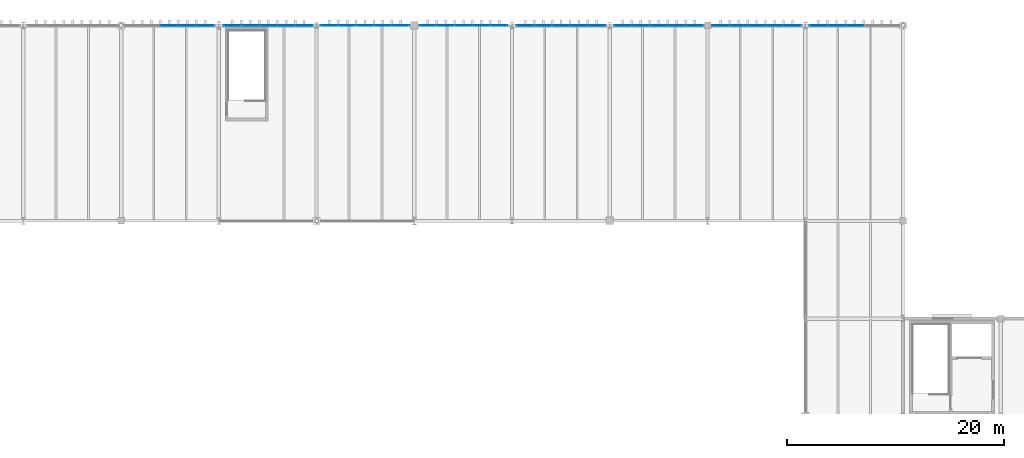
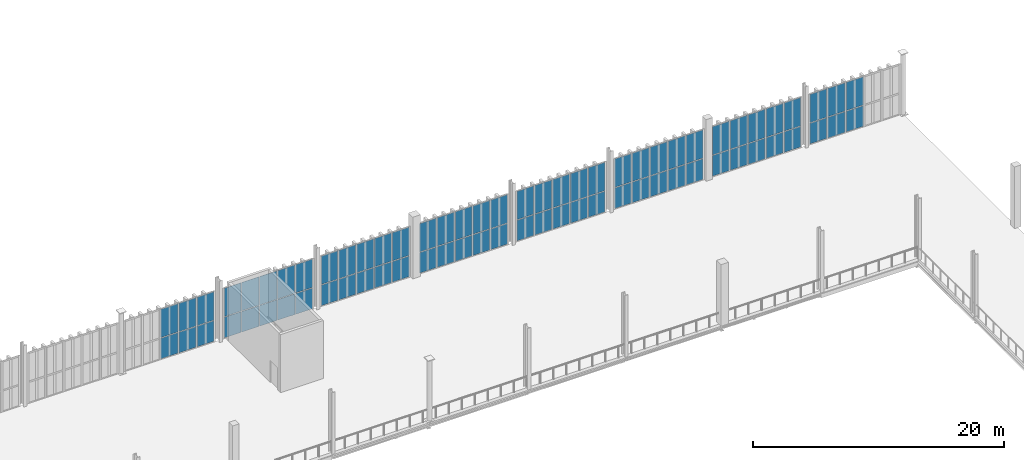
# One storey, part 168 of 211: 72 plates, 8 elements without a shape of their own.
"""IFC4 building model written with IfcOpenShell, lengths in metres."""

from ifc_helpers import new_model, si_unit, direction, frame, origin, origin_2d, place, context, subcontext, project, spatial, rectangle, extrude, material, layer, layer_set, type_object, element, aggregate, save


model = new_model("IFC4")

# Units and contexts
model_context = context("Model", 3, precision=1e-05, world=origin(), true_north=direction((0.0, 1.0)))
body_context = subcontext(model_context, "Body", "Model", "MODEL_VIEW")
ifc_project = project(units=[si_unit("LENGTHUNIT", "METRE"), si_unit("AREAUNIT", "SQUARE_METRE"), si_unit("VOLUMEUNIT", "CUBIC_METRE"), si_unit("PLANEANGLEUNIT", "RADIAN"), si_unit("MASSUNIT", "GRAM", prefix="KILO")], contexts=[model_context])

# Site, building, storey
site_placement = place(None, origin())
site = spatial("IfcSite", under=ifc_project, at=site_placement, CompositionType="ELEMENT")
building_placement = place(site_placement, origin())
building = spatial("IfcBuilding", under=site, at=building_placement, Name="Barlavento Convention Centre", CompositionType="ELEMENT")
storey_placement = place(building_placement, frame((0.0, 0.0, 6.0)))
storey = spatial("IfcBuildingStorey", under=building, at=storey_placement, Name="L01", CompositionType="ELEMENT", Elevation=6.0)

# Curtain wall, plates
ifc_material_1 = material(Name="Powder-coated aluminium and Low-E glass", Category="aluminium")
ifc_layer_1 = layer(ifc_material_1, 0.179931640625)
ifc_layer_set_1 = layer_set([ifc_layer_1], Name="ARC-CW-EXH-L01")
curtain_wall_type = type_object("IfcCurtainWallType", Name="ARC-CW-EXH-L01", PredefinedType="NOTDEFINED", material=ifc_layer_set_1)
curtain_wall_1_placement = place(storey_placement, origin())
curtain_wall_1 = element("IfcCurtainWall", 1, at=curtain_wall_1_placement, inside=storey, type_object=curtain_wall_type, Name="L01 unitised curtain wall CW04", PredefinedType="NOTDEFINED")
ifc_material_2 = material(Name="Double-silver Low-E insulated glass", Category="glass")
ifc_layer_2 = layer(ifc_material_2, 0.028076171875)
ifc_layer_set_2 = layer_set([ifc_layer_2], Name="ARC-CWP-GLZ28")
plate_type = type_object("IfcPlateType", Name="ARC-CWP-GLZ28", PredefinedType="CURTAIN_PANEL", material=ifc_layer_set_2)
plate_1_placement = place(storey_placement, frame((58.4345703125, 135.0, 0.06005859375), z_axis=(0.0, 0.0, 1.0), x_axis=(1.0, 0.0, 0.0)))
plate_1 = element("IfcPlate", 2, at=plate_1_placement, type_object=plate_type, Name="CW04 panel 3.1", PredefinedType="CURTAIN_PANEL", context=body_context, shape_type="SweptSolid", body=[
    extrude(rectangle(XDim=1.6044921875, YDim=0.028076171875, at=origin_2d()), origin(), (0.0, 0.0, 1.0), 2.010009765625),
])
plate_2_placement = place(storey_placement, frame((58.4345703125, 135.0, 2.1298828125), z_axis=(0.0, 0.0, 1.0), x_axis=(1.0, 0.0, 0.0)))
plate_2 = element("IfcPlate", 3, at=plate_2_placement, type_object=plate_type, Name="CW04 panel 3.2", PredefinedType="CURTAIN_PANEL", context=body_context, shape_type="SweptSolid", body=[
    extrude(rectangle(XDim=1.6044921875, YDim=0.028076171875, at=origin_2d()), origin(), (0.0, 0.0, 1.0), 2.760009765625),
])
plate_3_placement = place(storey_placement, frame((60.09912109375, 135.0, 0.06005859375), z_axis=(0.0, 0.0, 1.0), x_axis=(1.0, 0.0, 0.0)))
plate_3 = element("IfcPlate", 4, at=plate_3_placement, type_object=plate_type, Name="CW04 panel 4.1", PredefinedType="CURTAIN_PANEL", context=body_context, shape_type="SweptSolid", body=[
    extrude(rectangle(XDim=1.6044921875, YDim=0.028076171875, at=origin_2d()), origin(), (0.0, 0.0, 1.0), 2.010009765625),
])
plate_4_placement = place(storey_placement, frame((60.09912109375, 135.0, 2.1298828125), z_axis=(0.0, 0.0, 1.0), x_axis=(1.0, 0.0, 0.0)))
plate_4 = element("IfcPlate", 5, at=plate_4_placement, type_object=plate_type, Name="CW04 panel 4.2", PredefinedType="CURTAIN_PANEL", context=body_context, shape_type="SweptSolid", body=[
    extrude(rectangle(XDim=1.6044921875, YDim=0.028076171875, at=origin_2d()), origin(), (0.0, 0.0, 1.0), 2.760009765625),
])
plate_5_placement = place(storey_placement, frame((61.748779296875, 135.0, 0.06005859375), z_axis=(0.0, 0.0, 1.0), x_axis=(1.0, 0.0, 0.0)))
plate_5 = element("IfcPlate", 6, at=plate_5_placement, type_object=plate_type, Name="CW04 panel 5.1", PredefinedType="CURTAIN_PANEL", context=body_context, shape_type="SweptSolid", body=[
    extrude(rectangle(XDim=1.574462890625, YDim=0.028076171875, at=origin_2d()), origin(), (0.0, 0.0, 1.0), 2.010009765625),
])
plate_6_placement = place(storey_placement, frame((61.748779296875, 135.0, 2.1298828125), z_axis=(0.0, 0.0, 1.0), x_axis=(1.0, 0.0, 0.0)))
plate_6 = element("IfcPlate", 7, at=plate_6_placement, type_object=plate_type, Name="CW04 panel 5.2", PredefinedType="CURTAIN_PANEL", context=body_context, shape_type="SweptSolid", body=[
    extrude(rectangle(XDim=1.574462890625, YDim=0.028076171875, at=origin_2d()), origin(), (0.0, 0.0, 1.0), 2.760009765625),
])
aggregate(curtain_wall_1, [plate_1, plate_2, plate_3, plate_4, plate_5, plate_6])

curtain_wall_2_placement = place(storey_placement, origin())
curtain_wall_2 = element("IfcCurtainWall", 8, at=curtain_wall_2_placement, inside=storey, type_object=curtain_wall_type, Name="L01 unitised curtain wall CW04", PredefinedType="NOTDEFINED")
plate_7_placement = place(storey_placement, frame((64.245361328125, 135.0, 0.06005859375), z_axis=(0.0, 0.0, 1.0), x_axis=(1.0, 0.0, 0.0)))
plate_7 = element("IfcPlate", 9, at=plate_7_placement, type_object=plate_type, Name="CW04 panel 1.1", PredefinedType="CURTAIN_PANEL", context=body_context, shape_type="SweptSolid", body=[
    extrude(rectangle(XDim=1.562744140625, YDim=0.028076171875, at=origin_2d()), origin(), (0.0, 0.0, 1.0), 2.010009765625),
])
plate_8_placement = place(storey_placement, frame((64.245361328125, 135.0, 2.1298828125), z_axis=(0.0, 0.0, 1.0), x_axis=(1.0, 0.0, 0.0)))
plate_8 = element("IfcPlate", 10, at=plate_8_placement, type_object=plate_type, Name="CW04 panel 1.2", PredefinedType="CURTAIN_PANEL", context=body_context, shape_type="SweptSolid", body=[
    extrude(rectangle(XDim=1.562744140625, YDim=0.028076171875, at=origin_2d()), origin(), (0.0, 0.0, 1.0), 2.760009765625),
])
plate_9_placement = place(storey_placement, frame((65.88330078125, 135.0, 0.06005859375), z_axis=(0.0, 0.0, 1.0), x_axis=(1.0, 0.0, 0.0)))
plate_9 = element("IfcPlate", 11, at=plate_9_placement, type_object=plate_type, Name="CW04 panel 2.1", PredefinedType="CURTAIN_PANEL", context=body_context, shape_type="SweptSolid", body=[
    extrude(rectangle(XDim=1.5927734375, YDim=0.028076171875, at=origin_2d()), origin(), (0.0, 0.0, 1.0), 2.010009765625),
])
plate_10_placement = place(storey_placement, frame((65.88330078125, 135.0, 2.1298828125), z_axis=(0.0, 0.0, 1.0), x_axis=(1.0, 0.0, 0.0)))
plate_10 = element("IfcPlate", 12, at=plate_10_placement, type_object=plate_type, Name="CW04 panel 2.2", PredefinedType="CURTAIN_PANEL", context=body_context, shape_type="SweptSolid", body=[
    extrude(rectangle(XDim=1.5927734375, YDim=0.028076171875, at=origin_2d()), origin(), (0.0, 0.0, 1.0), 2.760009765625),
])
plate_11_placement = place(storey_placement, frame((67.535888671875, 135.0, 0.06005859375), z_axis=(0.0, 0.0, 1.0), x_axis=(1.0, 0.0, 0.0)))
plate_11 = element("IfcPlate", 13, at=plate_11_placement, type_object=plate_type, Name="CW04 panel 3.1", PredefinedType="CURTAIN_PANEL", context=body_context, shape_type="SweptSolid", body=[
    extrude(rectangle(XDim=1.5927734375, YDim=0.028076171875, at=origin_2d()), origin(), (0.0, 0.0, 1.0), 2.010009765625),
])
plate_12_placement = place(storey_placement, frame((67.535888671875, 135.0, 2.1298828125), z_axis=(0.0, 0.0, 1.0), x_axis=(1.0, 0.0, 0.0)))
plate_12 = element("IfcPlate", 14, at=plate_12_placement, type_object=plate_type, Name="CW04 panel 3.2", PredefinedType="CURTAIN_PANEL", context=body_context, shape_type="SweptSolid", body=[
    extrude(rectangle(XDim=1.5927734375, YDim=0.028076171875, at=origin_2d()), origin(), (0.0, 0.0, 1.0), 2.760009765625),
])
plate_13_placement = place(storey_placement, frame((69.188720703125, 135.0, 0.06005859375), z_axis=(0.0, 0.0, 1.0), x_axis=(1.0, 0.0, 0.0)))
plate_13 = element("IfcPlate", 15, at=plate_13_placement, type_object=plate_type, Name="CW04 panel 4.1", PredefinedType="CURTAIN_PANEL", context=body_context, shape_type="SweptSolid", body=[
    extrude(rectangle(XDim=1.5927734375, YDim=0.028076171875, at=origin_2d()), origin(), (0.0, 0.0, 1.0), 2.010009765625),
])
plate_14_placement = place(storey_placement, frame((69.188720703125, 135.0, 2.1298828125), z_axis=(0.0, 0.0, 1.0), x_axis=(1.0, 0.0, 0.0)))
plate_14 = element("IfcPlate", 16, at=plate_14_placement, type_object=plate_type, Name="CW04 panel 4.2", PredefinedType="CURTAIN_PANEL", context=body_context, shape_type="SweptSolid", body=[
    extrude(rectangle(XDim=1.5927734375, YDim=0.028076171875, at=origin_2d()), origin(), (0.0, 0.0, 1.0), 2.760009765625),
])
plate_15_placement = place(storey_placement, frame((70.82666015625, 135.0, 0.06005859375), z_axis=(0.0, 0.0, 1.0), x_axis=(1.0, 0.0, 0.0)))
plate_15 = element("IfcPlate", 17, at=plate_15_placement, type_object=plate_type, Name="CW04 panel 5.1", PredefinedType="CURTAIN_PANEL", context=body_context, shape_type="SweptSolid", body=[
    extrude(rectangle(XDim=1.562744140625, YDim=0.028076171875, at=origin_2d()), origin(), (0.0, 0.0, 1.0), 2.010009765625),
])
plate_16_placement = place(storey_placement, frame((70.82666015625, 135.0, 2.1298828125), z_axis=(0.0, 0.0, 1.0), x_axis=(1.0, 0.0, 0.0)))
plate_16 = element("IfcPlate", 18, at=plate_16_placement, type_object=plate_type, Name="CW04 panel 5.2", PredefinedType="CURTAIN_PANEL", context=body_context, shape_type="SweptSolid", body=[
    extrude(rectangle(XDim=1.562744140625, YDim=0.028076171875, at=origin_2d()), origin(), (0.0, 0.0, 1.0), 2.760009765625),
])
aggregate(curtain_wall_2, [plate_7, plate_8, plate_9, plate_10, plate_11, plate_12, plate_13, plate_14, plate_15, plate_16])

curtain_wall_3_placement = place(storey_placement, origin())
curtain_wall_3 = element("IfcCurtainWall", 19, at=curtain_wall_3_placement, inside=storey, type_object=curtain_wall_type, Name="L01 unitised curtain wall CW04", PredefinedType="NOTDEFINED")
plate_17_placement = place(storey_placement, frame((73.171875, 135.0, 0.06005859375), z_axis=(0.0, 0.0, 1.0), x_axis=(1.0, 0.0, 0.0)))
plate_17 = element("IfcPlate", 20, at=plate_17_placement, type_object=plate_type, Name="CW04 panel 1.1", PredefinedType="CURTAIN_PANEL", context=body_context, shape_type="SweptSolid", body=[
    extrude(rectangle(XDim=1.5595703125, YDim=0.028076171875, at=origin_2d()), origin(), (0.0, 0.0, 1.0), 2.010009765625),
])
plate_18_placement = place(storey_placement, frame((73.171875, 135.0, 2.1298828125), z_axis=(0.0, 0.0, 1.0), x_axis=(1.0, 0.0, 0.0)))
plate_18 = element("IfcPlate", 21, at=plate_18_placement, type_object=plate_type, Name="CW04 panel 1.2", PredefinedType="CURTAIN_PANEL", context=body_context, shape_type="SweptSolid", body=[
    extrude(rectangle(XDim=1.5595703125, YDim=0.028076171875, at=origin_2d()), origin(), (0.0, 0.0, 1.0), 2.760009765625),
])
plate_19_placement = place(storey_placement, frame((74.806396484375, 135.0, 0.06005859375), z_axis=(0.0, 0.0, 1.0), x_axis=(1.0, 0.0, 0.0)))
plate_19 = element("IfcPlate", 22, at=plate_19_placement, type_object=plate_type, Name="CW04 panel 2.1", PredefinedType="CURTAIN_PANEL", context=body_context, shape_type="SweptSolid", body=[
    extrude(rectangle(XDim=1.589599609375, YDim=0.028076171875, at=origin_2d()), origin(), (0.0, 0.0, 1.0), 2.010009765625),
])
plate_20_placement = place(storey_placement, frame((74.806396484375, 135.0, 2.1298828125), z_axis=(0.0, 0.0, 1.0), x_axis=(1.0, 0.0, 0.0)))
plate_20 = element("IfcPlate", 23, at=plate_20_placement, type_object=plate_type, Name="CW04 panel 2.2", PredefinedType="CURTAIN_PANEL", context=body_context, shape_type="SweptSolid", body=[
    extrude(rectangle(XDim=1.589599609375, YDim=0.028076171875, at=origin_2d()), origin(), (0.0, 0.0, 1.0), 2.760009765625),
])
plate_21_placement = place(storey_placement, frame((76.4560546875, 135.0, 0.06005859375), z_axis=(0.0, 0.0, 1.0), x_axis=(1.0, 0.0, 0.0)))
plate_21 = element("IfcPlate", 24, at=plate_21_placement, type_object=plate_type, Name="CW04 panel 3.1", PredefinedType="CURTAIN_PANEL", context=body_context, shape_type="SweptSolid", body=[
    extrude(rectangle(XDim=1.589599609375, YDim=0.028076171875, at=origin_2d()), origin(), (0.0, 0.0, 1.0), 2.010009765625),
])
plate_22_placement = place(storey_placement, frame((76.4560546875, 135.0, 2.1298828125), z_axis=(0.0, 0.0, 1.0), x_axis=(1.0, 0.0, 0.0)))
plate_22 = element("IfcPlate", 25, at=plate_22_placement, type_object=plate_type, Name="CW04 panel 3.2", PredefinedType="CURTAIN_PANEL", context=body_context, shape_type="SweptSolid", body=[
    extrude(rectangle(XDim=1.589599609375, YDim=0.028076171875, at=origin_2d()), origin(), (0.0, 0.0, 1.0), 2.760009765625),
])
plate_23_placement = place(storey_placement, frame((78.105712890625, 135.0, 0.06005859375), z_axis=(0.0, 0.0, 1.0), x_axis=(1.0, 0.0, 0.0)))
plate_23 = element("IfcPlate", 26, at=plate_23_placement, type_object=plate_type, Name="CW04 panel 4.1", PredefinedType="CURTAIN_PANEL", context=body_context, shape_type="SweptSolid", body=[
    extrude(rectangle(XDim=1.589599609375, YDim=0.028076171875, at=origin_2d()), origin(), (0.0, 0.0, 1.0), 2.010009765625),
])
plate_24_placement = place(storey_placement, frame((78.105712890625, 135.0, 2.1298828125), z_axis=(0.0, 0.0, 1.0), x_axis=(1.0, 0.0, 0.0)))
plate_24 = element("IfcPlate", 27, at=plate_24_placement, type_object=plate_type, Name="CW04 panel 4.2", PredefinedType="CURTAIN_PANEL", context=body_context, shape_type="SweptSolid", body=[
    extrude(rectangle(XDim=1.589599609375, YDim=0.028076171875, at=origin_2d()), origin(), (0.0, 0.0, 1.0), 2.760009765625),
])
plate_25_placement = place(storey_placement, frame((79.740234375, 135.0, 0.06005859375), z_axis=(0.0, 0.0, 1.0), x_axis=(1.0, 0.0, 0.0)))
plate_25 = element("IfcPlate", 28, at=plate_25_placement, type_object=plate_type, Name="CW04 panel 5.1", PredefinedType="CURTAIN_PANEL", context=body_context, shape_type="SweptSolid", body=[
    extrude(rectangle(XDim=1.5595703125, YDim=0.028076171875, at=origin_2d()), origin(), (0.0, 0.0, 1.0), 2.010009765625),
])
plate_26_placement = place(storey_placement, frame((79.740234375, 135.0, 2.1298828125), z_axis=(0.0, 0.0, 1.0), x_axis=(1.0, 0.0, 0.0)))
plate_26 = element("IfcPlate", 29, at=plate_26_placement, type_object=plate_type, Name="CW04 panel 5.2", PredefinedType="CURTAIN_PANEL", context=body_context, shape_type="SweptSolid", body=[
    extrude(rectangle(XDim=1.5595703125, YDim=0.028076171875, at=origin_2d()), origin(), (0.0, 0.0, 1.0), 2.760009765625),
])
aggregate(curtain_wall_3, [plate_17, plate_18, plate_19, plate_20, plate_21, plate_22, plate_23, plate_24, plate_25, plate_26])

curtain_wall_4_placement = place(storey_placement, origin())
curtain_wall_4 = element("IfcCurtainWall", 30, at=curtain_wall_4_placement, inside=storey, type_object=curtain_wall_type, Name="L01 unitised curtain wall CW04", PredefinedType="NOTDEFINED")
plate_27_placement = place(storey_placement, frame((82.2548828125, 135.0, 0.06005859375), z_axis=(0.0, 0.0, 1.0), x_axis=(1.0, 0.0, 0.0)))
plate_27 = element("IfcPlate", 31, at=plate_27_placement, type_object=plate_type, Name="CW04 panel 1.1", PredefinedType="CURTAIN_PANEL", context=body_context, shape_type="SweptSolid", body=[
    extrude(rectangle(XDim=1.550048828125, YDim=0.028076171875, at=origin_2d()), origin(), (0.0, 0.0, 1.0), 2.010009765625),
])
plate_28_placement = place(storey_placement, frame((82.2548828125, 135.0, 2.1298828125), z_axis=(0.0, 0.0, 1.0), x_axis=(1.0, 0.0, 0.0)))
plate_28 = element("IfcPlate", 32, at=plate_28_placement, type_object=plate_type, Name="CW04 panel 1.2", PredefinedType="CURTAIN_PANEL", context=body_context, shape_type="SweptSolid", body=[
    extrude(rectangle(XDim=1.550048828125, YDim=0.028076171875, at=origin_2d()), origin(), (0.0, 0.0, 1.0), 2.760009765625),
])
plate_29_placement = place(storey_placement, frame((83.8798828125, 135.0, 0.06005859375), z_axis=(0.0, 0.0, 1.0), x_axis=(1.0, 0.0, 0.0)))
plate_29 = element("IfcPlate", 33, at=plate_29_placement, type_object=plate_type, Name="CW04 panel 2.1", PredefinedType="CURTAIN_PANEL", context=body_context, shape_type="SweptSolid", body=[
    extrude(rectangle(XDim=1.580078125, YDim=0.028076171875, at=origin_2d()), origin(), (0.0, 0.0, 1.0), 2.010009765625),
])
plate_30_placement = place(storey_placement, frame((83.8798828125, 135.0, 2.1298828125), z_axis=(0.0, 0.0, 1.0), x_axis=(1.0, 0.0, 0.0)))
plate_30 = element("IfcPlate", 34, at=plate_30_placement, type_object=plate_type, Name="CW04 panel 2.2", PredefinedType="CURTAIN_PANEL", context=body_context, shape_type="SweptSolid", body=[
    extrude(rectangle(XDim=1.580078125, YDim=0.028076171875, at=origin_2d()), origin(), (0.0, 0.0, 1.0), 2.760009765625),
])
plate_31_placement = place(storey_placement, frame((85.52001953125, 135.0, 0.06005859375), z_axis=(0.0, 0.0, 1.0), x_axis=(1.0, 0.0, 0.0)))
plate_31 = element("IfcPlate", 35, at=plate_31_placement, type_object=plate_type, Name="CW04 panel 3.1", PredefinedType="CURTAIN_PANEL", context=body_context, shape_type="SweptSolid", body=[
    extrude(rectangle(XDim=1.580078125, YDim=0.028076171875, at=origin_2d()), origin(), (0.0, 0.0, 1.0), 2.010009765625),
])
plate_32_placement = place(storey_placement, frame((85.52001953125, 135.0, 2.1298828125), z_axis=(0.0, 0.0, 1.0), x_axis=(1.0, 0.0, 0.0)))
plate_32 = element("IfcPlate", 36, at=plate_32_placement, type_object=plate_type, Name="CW04 panel 3.2", PredefinedType="CURTAIN_PANEL", context=body_context, shape_type="SweptSolid", body=[
    extrude(rectangle(XDim=1.580078125, YDim=0.028076171875, at=origin_2d()), origin(), (0.0, 0.0, 1.0), 2.760009765625),
])
plate_33_placement = place(storey_placement, frame((87.159912109375, 135.0, 0.06005859375), z_axis=(0.0, 0.0, 1.0), x_axis=(1.0, 0.0, 0.0)))
plate_33 = element("IfcPlate", 37, at=plate_33_placement, type_object=plate_type, Name="CW04 panel 4.1", PredefinedType="CURTAIN_PANEL", context=body_context, shape_type="SweptSolid", body=[
    extrude(rectangle(XDim=1.580078125, YDim=0.028076171875, at=origin_2d()), origin(), (0.0, 0.0, 1.0), 2.010009765625),
])
plate_34_placement = place(storey_placement, frame((87.159912109375, 135.0, 2.1298828125), z_axis=(0.0, 0.0, 1.0), x_axis=(1.0, 0.0, 0.0)))
plate_34 = element("IfcPlate", 38, at=plate_34_placement, type_object=plate_type, Name="CW04 panel 4.2", PredefinedType="CURTAIN_PANEL", context=body_context, shape_type="SweptSolid", body=[
    extrude(rectangle(XDim=1.580078125, YDim=0.028076171875, at=origin_2d()), origin(), (0.0, 0.0, 1.0), 2.760009765625),
])
plate_35_placement = place(storey_placement, frame((88.784912109375, 135.0, 0.06005859375), z_axis=(0.0, 0.0, 1.0), x_axis=(1.0, 0.0, 0.0)))
plate_35 = element("IfcPlate", 39, at=plate_35_placement, type_object=plate_type, Name="CW04 panel 5.1", PredefinedType="CURTAIN_PANEL", context=body_context, shape_type="SweptSolid", body=[
    extrude(rectangle(XDim=1.550048828125, YDim=0.028076171875, at=origin_2d()), origin(), (0.0, 0.0, 1.0), 2.010009765625),
])
plate_36_placement = place(storey_placement, frame((88.784912109375, 135.0, 2.1298828125), z_axis=(0.0, 0.0, 1.0), x_axis=(1.0, 0.0, 0.0)))
plate_36 = element("IfcPlate", 40, at=plate_36_placement, type_object=plate_type, Name="CW04 panel 5.2", PredefinedType="CURTAIN_PANEL", context=body_context, shape_type="SweptSolid", body=[
    extrude(rectangle(XDim=1.550048828125, YDim=0.028076171875, at=origin_2d()), origin(), (0.0, 0.0, 1.0), 2.760009765625),
])
aggregate(curtain_wall_4, [plate_27, plate_28, plate_29, plate_30, plate_31, plate_32, plate_33, plate_34, plate_35, plate_36])

curtain_wall_5_placement = place(storey_placement, origin())
curtain_wall_5 = element("IfcCurtainWall", 41, at=curtain_wall_5_placement, inside=storey, type_object=curtain_wall_type, Name="L01 unitised curtain wall CW04", PredefinedType="NOTDEFINED")
plate_37_placement = place(storey_placement, frame((91.219970703125, 135.0, 0.06005859375), z_axis=(0.0, 0.0, 1.0), x_axis=(1.0, 0.0, 0.0)))
plate_37 = element("IfcPlate", 42, at=plate_37_placement, type_object=plate_type, Name="CW04 panel 1.1", PredefinedType="CURTAIN_PANEL", context=body_context, shape_type="SweptSolid", body=[
    extrude(rectangle(XDim=1.56005859375, YDim=0.028076171875, at=origin_2d()), origin(), (0.0, 0.0, 1.0), 2.010009765625),
])
plate_38_placement = place(storey_placement, frame((91.219970703125, 135.0, 2.1298828125), z_axis=(0.0, 0.0, 1.0), x_axis=(1.0, 0.0, 0.0)))
plate_38 = element("IfcPlate", 43, at=plate_38_placement, type_object=plate_type, Name="CW04 panel 1.2", PredefinedType="CURTAIN_PANEL", context=body_context, shape_type="SweptSolid", body=[
    extrude(rectangle(XDim=1.56005859375, YDim=0.028076171875, at=origin_2d()), origin(), (0.0, 0.0, 1.0), 2.760009765625),
])
plate_39_placement = place(storey_placement, frame((92.85498046875, 135.0, 0.06005859375), z_axis=(0.0, 0.0, 1.0), x_axis=(1.0, 0.0, 0.0)))
plate_39 = element("IfcPlate", 44, at=plate_39_placement, type_object=plate_type, Name="CW04 panel 2.1", PredefinedType="CURTAIN_PANEL", context=body_context, shape_type="SweptSolid", body=[
    extrude(rectangle(XDim=1.590087890625, YDim=0.028076171875, at=origin_2d()), origin(), (0.0, 0.0, 1.0), 2.010009765625),
])
plate_40_placement = place(storey_placement, frame((92.85498046875, 135.0, 2.1298828125), z_axis=(0.0, 0.0, 1.0), x_axis=(1.0, 0.0, 0.0)))
plate_40 = element("IfcPlate", 45, at=plate_40_placement, type_object=plate_type, Name="CW04 panel 2.2", PredefinedType="CURTAIN_PANEL", context=body_context, shape_type="SweptSolid", body=[
    extrude(rectangle(XDim=1.590087890625, YDim=0.028076171875, at=origin_2d()), origin(), (0.0, 0.0, 1.0), 2.760009765625),
])
plate_41_placement = place(storey_placement, frame((94.5048828125, 135.0, 0.06005859375), z_axis=(0.0, 0.0, 1.0), x_axis=(1.0, 0.0, 0.0)))
plate_41 = element("IfcPlate", 46, at=plate_41_placement, type_object=plate_type, Name="CW04 panel 3.1", PredefinedType="CURTAIN_PANEL", context=body_context, shape_type="SweptSolid", body=[
    extrude(rectangle(XDim=1.590087890625, YDim=0.028076171875, at=origin_2d()), origin(), (0.0, 0.0, 1.0), 2.010009765625),
])
plate_42_placement = place(storey_placement, frame((94.5048828125, 135.0, 2.1298828125), z_axis=(0.0, 0.0, 1.0), x_axis=(1.0, 0.0, 0.0)))
plate_42 = element("IfcPlate", 47, at=plate_42_placement, type_object=plate_type, Name="CW04 panel 3.2", PredefinedType="CURTAIN_PANEL", context=body_context, shape_type="SweptSolid", body=[
    extrude(rectangle(XDim=1.590087890625, YDim=0.028076171875, at=origin_2d()), origin(), (0.0, 0.0, 1.0), 2.760009765625),
])
plate_43_placement = place(storey_placement, frame((96.155029296875, 135.0, 0.06005859375), z_axis=(0.0, 0.0, 1.0), x_axis=(1.0, 0.0, 0.0)))
plate_43 = element("IfcPlate", 48, at=plate_43_placement, type_object=plate_type, Name="CW04 panel 4.1", PredefinedType="CURTAIN_PANEL", context=body_context, shape_type="SweptSolid", body=[
    extrude(rectangle(XDim=1.590087890625, YDim=0.028076171875, at=origin_2d()), origin(), (0.0, 0.0, 1.0), 2.010009765625),
])
plate_44_placement = place(storey_placement, frame((96.155029296875, 135.0, 2.1298828125), z_axis=(0.0, 0.0, 1.0), x_axis=(1.0, 0.0, 0.0)))
plate_44 = element("IfcPlate", 49, at=plate_44_placement, type_object=plate_type, Name="CW04 panel 4.2", PredefinedType="CURTAIN_PANEL", context=body_context, shape_type="SweptSolid", body=[
    extrude(rectangle(XDim=1.590087890625, YDim=0.028076171875, at=origin_2d()), origin(), (0.0, 0.0, 1.0), 2.760009765625),
])
plate_45_placement = place(storey_placement, frame((97.7900390625, 135.0, 0.06005859375), z_axis=(0.0, 0.0, 1.0), x_axis=(1.0, 0.0, 0.0)))
plate_45 = element("IfcPlate", 50, at=plate_45_placement, type_object=plate_type, Name="CW04 panel 5.1", PredefinedType="CURTAIN_PANEL", context=body_context, shape_type="SweptSolid", body=[
    extrude(rectangle(XDim=1.56005859375, YDim=0.028076171875, at=origin_2d()), origin(), (0.0, 0.0, 1.0), 2.010009765625),
])
plate_46_placement = place(storey_placement, frame((97.7900390625, 135.0, 2.1298828125), z_axis=(0.0, 0.0, 1.0), x_axis=(1.0, 0.0, 0.0)))
plate_46 = element("IfcPlate", 51, at=plate_46_placement, type_object=plate_type, Name="CW04 panel 5.2", PredefinedType="CURTAIN_PANEL", context=body_context, shape_type="SweptSolid", body=[
    extrude(rectangle(XDim=1.56005859375, YDim=0.028076171875, at=origin_2d()), origin(), (0.0, 0.0, 1.0), 2.760009765625),
])
aggregate(curtain_wall_5, [plate_37, plate_38, plate_39, plate_40, plate_41, plate_42, plate_43, plate_44, plate_45, plate_46])

curtain_wall_6_placement = place(storey_placement, origin())
curtain_wall_6 = element("IfcCurtainWall", 52, at=curtain_wall_6_placement, inside=storey, type_object=curtain_wall_type, Name="L01 unitised curtain wall CW04", PredefinedType="NOTDEFINED")
plate_47_placement = place(storey_placement, frame((100.2109375, 135.0, 0.06005859375), z_axis=(0.0, 0.0, 1.0), x_axis=(1.0, 0.0, 0.0)))
plate_47 = element("IfcPlate", 53, at=plate_47_placement, type_object=plate_type, Name="CW04 panel 1.1", PredefinedType="CURTAIN_PANEL", context=body_context, shape_type="SweptSolid", body=[
    extrude(rectangle(XDim=1.56201171875, YDim=0.028076171875, at=origin_2d()), origin(), (0.0, 0.0, 1.0), 2.010009765625),
])
plate_48_placement = place(storey_placement, frame((100.2109375, 135.0, 2.1298828125), z_axis=(0.0, 0.0, 1.0), x_axis=(1.0, 0.0, 0.0)))
plate_48 = element("IfcPlate", 54, at=plate_48_placement, type_object=plate_type, Name="CW04 panel 1.2", PredefinedType="CURTAIN_PANEL", context=body_context, shape_type="SweptSolid", body=[
    extrude(rectangle(XDim=1.56201171875, YDim=0.028076171875, at=origin_2d()), origin(), (0.0, 0.0, 1.0), 2.760009765625),
])
plate_49_placement = place(storey_placement, frame((101.847900390625, 135.0, 0.06005859375), z_axis=(0.0, 0.0, 1.0), x_axis=(1.0, 0.0, 0.0)))
plate_49 = element("IfcPlate", 55, at=plate_49_placement, type_object=plate_type, Name="CW04 panel 2.1", PredefinedType="CURTAIN_PANEL", context=body_context, shape_type="SweptSolid", body=[
    extrude(rectangle(XDim=1.592041015625, YDim=0.028076171875, at=origin_2d()), origin(), (0.0, 0.0, 1.0), 2.010009765625),
])
plate_50_placement = place(storey_placement, frame((101.847900390625, 135.0, 2.1298828125), z_axis=(0.0, 0.0, 1.0), x_axis=(1.0, 0.0, 0.0)))
plate_50 = element("IfcPlate", 56, at=plate_50_placement, type_object=plate_type, Name="CW04 panel 2.2", PredefinedType="CURTAIN_PANEL", context=body_context, shape_type="SweptSolid", body=[
    extrude(rectangle(XDim=1.592041015625, YDim=0.028076171875, at=origin_2d()), origin(), (0.0, 0.0, 1.0), 2.760009765625),
])
plate_51_placement = place(storey_placement, frame((103.5, 135.0, 0.06005859375), z_axis=(0.0, 0.0, 1.0), x_axis=(1.0, 0.0, 0.0)))
plate_51 = element("IfcPlate", 57, at=plate_51_placement, type_object=plate_type, Name="CW04 panel 3.1", PredefinedType="CURTAIN_PANEL", context=body_context, shape_type="SweptSolid", body=[
    extrude(rectangle(XDim=1.592041015625, YDim=0.028076171875, at=origin_2d()), origin(), (0.0, 0.0, 1.0), 2.010009765625),
])
plate_52_placement = place(storey_placement, frame((103.5, 135.0, 2.1298828125), z_axis=(0.0, 0.0, 1.0), x_axis=(1.0, 0.0, 0.0)))
plate_52 = element("IfcPlate", 58, at=plate_52_placement, type_object=plate_type, Name="CW04 panel 3.2", PredefinedType="CURTAIN_PANEL", context=body_context, shape_type="SweptSolid", body=[
    extrude(rectangle(XDim=1.592041015625, YDim=0.028076171875, at=origin_2d()), origin(), (0.0, 0.0, 1.0), 2.760009765625),
])
plate_53_placement = place(storey_placement, frame((105.152099609375, 135.0, 0.06005859375), z_axis=(0.0, 0.0, 1.0), x_axis=(1.0, 0.0, 0.0)))
plate_53 = element("IfcPlate", 59, at=plate_53_placement, type_object=plate_type, Name="CW04 panel 4.1", PredefinedType="CURTAIN_PANEL", context=body_context, shape_type="SweptSolid", body=[
    extrude(rectangle(XDim=1.592041015625, YDim=0.028076171875, at=origin_2d()), origin(), (0.0, 0.0, 1.0), 2.010009765625),
])
plate_54_placement = place(storey_placement, frame((105.152099609375, 135.0, 2.1298828125), z_axis=(0.0, 0.0, 1.0), x_axis=(1.0, 0.0, 0.0)))
plate_54 = element("IfcPlate", 60, at=plate_54_placement, type_object=plate_type, Name="CW04 panel 4.2", PredefinedType="CURTAIN_PANEL", context=body_context, shape_type="SweptSolid", body=[
    extrude(rectangle(XDim=1.592041015625, YDim=0.028076171875, at=origin_2d()), origin(), (0.0, 0.0, 1.0), 2.760009765625),
])
plate_55_placement = place(storey_placement, frame((106.7890625, 135.0, 0.06005859375), z_axis=(0.0, 0.0, 1.0), x_axis=(1.0, 0.0, 0.0)))
plate_55 = element("IfcPlate", 61, at=plate_55_placement, type_object=plate_type, Name="CW04 panel 5.1", PredefinedType="CURTAIN_PANEL", context=body_context, shape_type="SweptSolid", body=[
    extrude(rectangle(XDim=1.56201171875, YDim=0.028076171875, at=origin_2d()), origin(), (0.0, 0.0, 1.0), 2.010009765625),
])
plate_56_placement = place(storey_placement, frame((106.7890625, 135.0, 2.1298828125), z_axis=(0.0, 0.0, 1.0), x_axis=(1.0, 0.0, 0.0)))
plate_56 = element("IfcPlate", 62, at=plate_56_placement, type_object=plate_type, Name="CW04 panel 5.2", PredefinedType="CURTAIN_PANEL", context=body_context, shape_type="SweptSolid", body=[
    extrude(rectangle(XDim=1.56201171875, YDim=0.028076171875, at=origin_2d()), origin(), (0.0, 0.0, 1.0), 2.760009765625),
])
aggregate(curtain_wall_6, [plate_47, plate_48, plate_49, plate_50, plate_51, plate_52, plate_53, plate_54, plate_55, plate_56])

curtain_wall_7_placement = place(storey_placement, origin())
curtain_wall_7 = element("IfcCurtainWall", 63, at=curtain_wall_7_placement, inside=storey, type_object=curtain_wall_type, Name="L01 unitised curtain wall CW04", PredefinedType="NOTDEFINED")
plate_57_placement = place(storey_placement, frame((109.21240234375, 135.0, 0.06005859375), z_axis=(0.0, 0.0, 1.0), x_axis=(1.0, 0.0, 0.0)))
plate_57 = element("IfcPlate", 64, at=plate_57_placement, type_object=plate_type, Name="CW04 panel 1.1", PredefinedType="CURTAIN_PANEL", context=body_context, shape_type="SweptSolid", body=[
    extrude(rectangle(XDim=1.564697265625, YDim=0.028076171875, at=origin_2d()), origin(), (0.0, 0.0, 1.0), 2.010009765625),
])
plate_58_placement = place(storey_placement, frame((109.21240234375, 135.0, 2.1298828125), z_axis=(0.0, 0.0, 1.0), x_axis=(1.0, 0.0, 0.0)))
plate_58 = element("IfcPlate", 65, at=plate_58_placement, type_object=plate_type, Name="CW04 panel 1.2", PredefinedType="CURTAIN_PANEL", context=body_context, shape_type="SweptSolid", body=[
    extrude(rectangle(XDim=1.564697265625, YDim=0.028076171875, at=origin_2d()), origin(), (0.0, 0.0, 1.0), 2.760009765625),
])
plate_59_placement = place(storey_placement, frame((110.852294921875, 135.0, 0.06005859375), z_axis=(0.0, 0.0, 1.0), x_axis=(1.0, 0.0, 0.0)))
plate_59 = element("IfcPlate", 66, at=plate_59_placement, type_object=plate_type, Name="CW04 panel 2.1", PredefinedType="CURTAIN_PANEL", context=body_context, shape_type="SweptSolid", body=[
    extrude(rectangle(XDim=1.5947265625, YDim=0.028076171875, at=origin_2d()), origin(), (0.0, 0.0, 1.0), 2.010009765625),
])
plate_60_placement = place(storey_placement, frame((110.852294921875, 135.0, 2.1298828125), z_axis=(0.0, 0.0, 1.0), x_axis=(1.0, 0.0, 0.0)))
plate_60 = element("IfcPlate", 67, at=plate_60_placement, type_object=plate_type, Name="CW04 panel 2.2", PredefinedType="CURTAIN_PANEL", context=body_context, shape_type="SweptSolid", body=[
    extrude(rectangle(XDim=1.5947265625, YDim=0.028076171875, at=origin_2d()), origin(), (0.0, 0.0, 1.0), 2.760009765625),
])
plate_61_placement = place(storey_placement, frame((112.507080078125, 135.0, 0.06005859375), z_axis=(0.0, 0.0, 1.0), x_axis=(1.0, 0.0, 0.0)))
plate_61 = element("IfcPlate", 68, at=plate_61_placement, type_object=plate_type, Name="CW04 panel 3.1", PredefinedType="CURTAIN_PANEL", context=body_context, shape_type="SweptSolid", body=[
    extrude(rectangle(XDim=1.5947265625, YDim=0.028076171875, at=origin_2d()), origin(), (0.0, 0.0, 1.0), 2.010009765625),
])
plate_62_placement = place(storey_placement, frame((112.507080078125, 135.0, 2.1298828125), z_axis=(0.0, 0.0, 1.0), x_axis=(1.0, 0.0, 0.0)))
plate_62 = element("IfcPlate", 69, at=plate_62_placement, type_object=plate_type, Name="CW04 panel 3.2", PredefinedType="CURTAIN_PANEL", context=body_context, shape_type="SweptSolid", body=[
    extrude(rectangle(XDim=1.5947265625, YDim=0.028076171875, at=origin_2d()), origin(), (0.0, 0.0, 1.0), 2.760009765625),
])
plate_63_placement = place(storey_placement, frame((114.161865234375, 135.0, 0.06005859375), z_axis=(0.0, 0.0, 1.0), x_axis=(1.0, 0.0, 0.0)))
plate_63 = element("IfcPlate", 70, at=plate_63_placement, type_object=plate_type, Name="CW04 panel 4.1", PredefinedType="CURTAIN_PANEL", context=body_context, shape_type="SweptSolid", body=[
    extrude(rectangle(XDim=1.5947265625, YDim=0.028076171875, at=origin_2d()), origin(), (0.0, 0.0, 1.0), 2.010009765625),
])
plate_64_placement = place(storey_placement, frame((114.161865234375, 135.0, 2.1298828125), z_axis=(0.0, 0.0, 1.0), x_axis=(1.0, 0.0, 0.0)))
plate_64 = element("IfcPlate", 71, at=plate_64_placement, type_object=plate_type, Name="CW04 panel 4.2", PredefinedType="CURTAIN_PANEL", context=body_context, shape_type="SweptSolid", body=[
    extrude(rectangle(XDim=1.5947265625, YDim=0.028076171875, at=origin_2d()), origin(), (0.0, 0.0, 1.0), 2.760009765625),
])
plate_65_placement = place(storey_placement, frame((115.801513671875, 135.0, 0.06005859375), z_axis=(0.0, 0.0, 1.0), x_axis=(1.0, 0.0, 0.0)))
plate_65 = element("IfcPlate", 72, at=plate_65_placement, type_object=plate_type, Name="CW04 panel 5.1", PredefinedType="CURTAIN_PANEL", context=body_context, shape_type="SweptSolid", body=[
    extrude(rectangle(XDim=1.564697265625, YDim=0.028076171875, at=origin_2d()), origin(), (0.0, 0.0, 1.0), 2.010009765625),
])
plate_66_placement = place(storey_placement, frame((115.801513671875, 135.0, 2.1298828125), z_axis=(0.0, 0.0, 1.0), x_axis=(1.0, 0.0, 0.0)))
plate_66 = element("IfcPlate", 73, at=plate_66_placement, type_object=plate_type, Name="CW04 panel 5.2", PredefinedType="CURTAIN_PANEL", context=body_context, shape_type="SweptSolid", body=[
    extrude(rectangle(XDim=1.564697265625, YDim=0.028076171875, at=origin_2d()), origin(), (0.0, 0.0, 1.0), 2.760009765625),
])
aggregate(curtain_wall_7, [plate_57, plate_58, plate_59, plate_60, plate_61, plate_62, plate_63, plate_64, plate_65, plate_66])

curtain_wall_8_placement = place(storey_placement, origin())
curtain_wall_8 = element("IfcCurtainWall", 74, at=curtain_wall_8_placement, inside=storey, type_object=curtain_wall_type, Name="L01 unitised curtain wall CW04", PredefinedType="NOTDEFINED")
plate_67_placement = place(storey_placement, frame((118.2080078125, 135.0, 0.06005859375), z_axis=(0.0, 0.0, 1.0), x_axis=(1.0, 0.0, 0.0)))
plate_67 = element("IfcPlate", 75, at=plate_67_placement, type_object=plate_type, Name="CW04 panel 1.1", PredefinedType="CURTAIN_PANEL", context=body_context, shape_type="SweptSolid", body=[
    extrude(rectangle(XDim=1.584228515625, YDim=0.028076171875, at=origin_2d()), origin(), (0.0, 0.0, 1.0), 2.010009765625),
])
plate_68_placement = place(storey_placement, frame((118.2080078125, 135.0, 2.1298828125), z_axis=(0.0, 0.0, 1.0), x_axis=(1.0, 0.0, 0.0)))
plate_68 = element("IfcPlate", 76, at=plate_68_placement, type_object=plate_type, Name="CW04 panel 1.2", PredefinedType="CURTAIN_PANEL", context=body_context, shape_type="SweptSolid", body=[
    extrude(rectangle(XDim=1.584228515625, YDim=0.028076171875, at=origin_2d()), origin(), (0.0, 0.0, 1.0), 2.760009765625),
])
plate_69_placement = place(storey_placement, frame((119.8671875, 135.0, 0.06005859375), z_axis=(0.0, 0.0, 1.0), x_axis=(1.0, 0.0, 0.0)))
plate_69 = element("IfcPlate", 77, at=plate_69_placement, type_object=plate_type, Name="CW04 panel 2.1", PredefinedType="CURTAIN_PANEL", context=body_context, shape_type="SweptSolid", body=[
    extrude(rectangle(XDim=1.6142578125, YDim=0.028076171875, at=origin_2d()), origin(), (0.0, 0.0, 1.0), 2.010009765625),
])
plate_70_placement = place(storey_placement, frame((119.8671875, 135.0, 2.1298828125), z_axis=(0.0, 0.0, 1.0), x_axis=(1.0, 0.0, 0.0)))
plate_70 = element("IfcPlate", 78, at=plate_70_placement, type_object=plate_type, Name="CW04 panel 2.2", PredefinedType="CURTAIN_PANEL", context=body_context, shape_type="SweptSolid", body=[
    extrude(rectangle(XDim=1.6142578125, YDim=0.028076171875, at=origin_2d()), origin(), (0.0, 0.0, 1.0), 2.760009765625),
])
plate_71_placement = place(storey_placement, frame((121.54150390625, 135.0, 0.06005859375), z_axis=(0.0, 0.0, 1.0), x_axis=(1.0, 0.0, 0.0)))
plate_71 = element("IfcPlate", 79, at=plate_71_placement, type_object=plate_type, Name="CW04 panel 3.1", PredefinedType="CURTAIN_PANEL", context=body_context, shape_type="SweptSolid", body=[
    extrude(rectangle(XDim=1.6142578125, YDim=0.028076171875, at=origin_2d()), origin(), (0.0, 0.0, 1.0), 2.010009765625),
])
plate_72_placement = place(storey_placement, frame((121.54150390625, 135.0, 2.1298828125), z_axis=(0.0, 0.0, 1.0), x_axis=(1.0, 0.0, 0.0)))
plate_72 = element("IfcPlate", 80, at=plate_72_placement, type_object=plate_type, Name="CW04 panel 3.2", PredefinedType="CURTAIN_PANEL", context=body_context, shape_type="SweptSolid", body=[
    extrude(rectangle(XDim=1.6142578125, YDim=0.028076171875, at=origin_2d()), origin(), (0.0, 0.0, 1.0), 2.760009765625),
])
aggregate(curtain_wall_8, [plate_67, plate_68, plate_69, plate_70, plate_71, plate_72])

save(model, "model.ifc")
